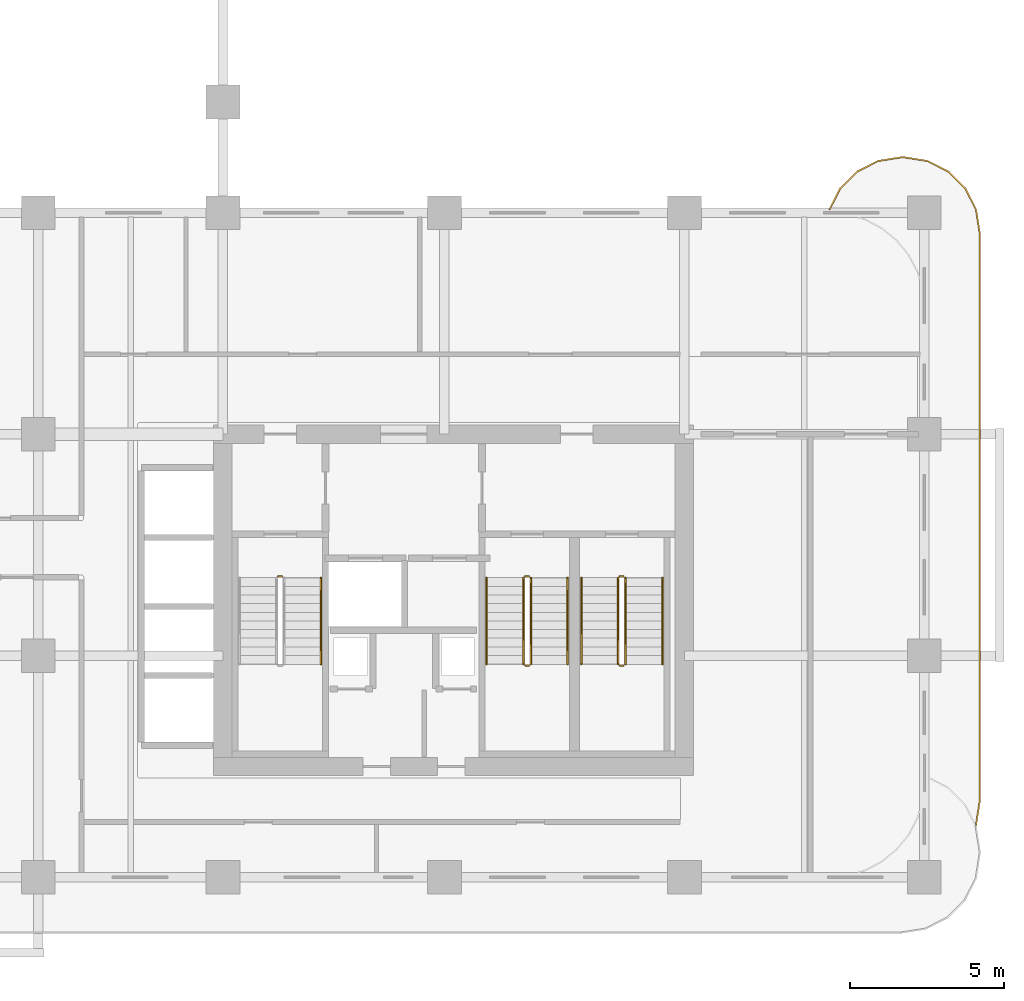
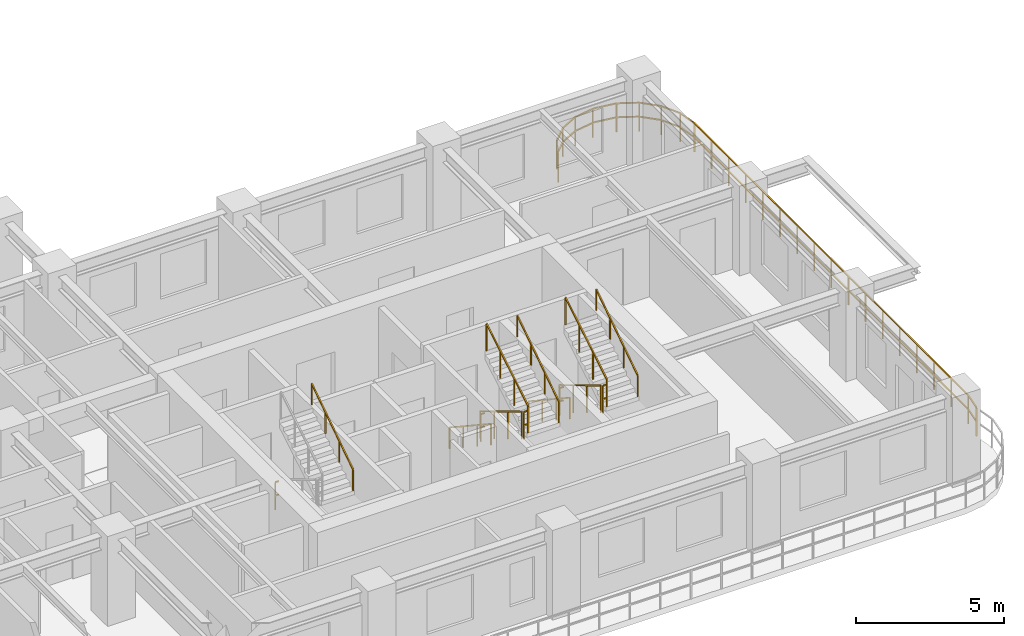
# One storey, part 17 of 19: 15 railings.
"""IFC4 building model written with IfcOpenShell, lengths in metres."""

from ifc_helpers import new_model, si_unit, derived_unit, direction, frame, origin, origin_2d, place, context, subcontext, project, spatial, rectangle, extrude, material, type_object, element, save


model = new_model("IFC4")

# Units and contexts
model_context = context("Model", 3, precision=1e-05, world=origin(), true_north=direction((0.0, 1.0)))
body_context = subcontext(model_context, "Body", "Model", "MODEL_VIEW")
ifc_project = project(units=[si_unit("LENGTHUNIT", "METRE"), si_unit("AREAUNIT", "SQUARE_METRE"), si_unit("VOLUMEUNIT", "CUBIC_METRE"), si_unit("PLANEANGLEUNIT", "RADIAN"), si_unit("MASSUNIT", "GRAM", prefix="KILO"), si_unit("THERMODYNAMICTEMPERATUREUNIT", "KELVIN"), si_unit("POWERUNIT", "WATT"), derived_unit("THERMALTRANSMITTANCEUNIT", [(si_unit("POWERUNIT", "WATT"), 1), (si_unit("AREAUNIT", "SQUARE_METRE"), -1), (si_unit("THERMODYNAMICTEMPERATUREUNIT", "KELVIN"), -1)])], contexts=[model_context])

# Site, building, storey
site_placement = place(None, origin())
site = spatial("IfcSite", under=ifc_project, at=site_placement, CompositionType="ELEMENT")
building_placement = place(site_placement, origin())
building = spatial("IfcBuilding", under=site, at=building_placement, Name="Zahravan Archway Hotel and Residences", CompositionType="ELEMENT")
storey_placement = place(building_placement, frame((0.0, 0.0, 43.5)))
storey = spatial("IfcBuildingStorey", under=building, at=storey_placement, Name="L09", CompositionType="ELEMENT", Elevation=43.5)

# Railings
ifc_material_1 = material(Name="Bronze & Laminated Glass Balustrade", Category="glass")
railing_type_1 = type_object("IfcRailingType", Name="RL-BAL-1200", PredefinedType="BALUSTRADE", material=ifc_material_1)
railing_1_placement = place(storey_placement, frame((54.52001953125, 21.70703125, 0.0)))
element("IfcRailing", 1, at=railing_1_placement, inside=storey, type_object=railing_type_1, Name="L09 Balustrade RL-SLB-BAL-L09-EA-1", PredefinedType="BALUSTRADE", context=body_context, shape_type="SweptSolid", body=[
    extrude(rectangle(XDim=0.048095703125, YDim=0.048095703125, at=origin_2d()), frame((0.0, 0.0, 1.17578125), z_axis=(0.453825591531, 0.891090529897, 0.0), x_axis=(-0.891090529897, 0.453825591531, 0.0)), (0.0, 0.0, 1.0), 0.7666015625),
    extrude(rectangle(XDim=0.048095703125, YDim=0.048095703125, at=origin_2d()), frame((0.0, 0.0, 0.60009765625), z_axis=(0.453825591531, 0.891090529897, 0.0), x_axis=(-0.891090529897, 0.453825591531, 0.0)), (0.0, 0.0, 1.0), 0.7666015625),
    extrude(rectangle(XDim=0.048095703125, YDim=0.048095703125, at=origin_2d()), frame((0.347900390625, 0.68310546875, 1.17578125), z_axis=(0.707106781187, 0.707106781187, 0.0), x_axis=(-0.707106781187, 0.707106781187, 0.0)), (0.0, 0.0, 1.0), 0.7666015625),
    extrude(rectangle(XDim=0.048095703125, YDim=0.048095703125, at=origin_2d()), frame((0.347900390625, 0.68310546875, 0.60009765625), z_axis=(0.707106781187, 0.707106781187, 0.0), x_axis=(-0.707106781187, 0.707106781187, 0.0)), (0.0, 0.0, 1.0), 0.7666015625),
    extrude(rectangle(XDim=0.048095703125, YDim=0.048095703125, at=origin_2d()), frame((0.889892578125, 1.22509765625, 1.17578125), z_axis=(0.891090529897, 0.453825591531, 0.0), x_axis=(-0.453825591531, 0.891090529897, 0.0)), (0.0, 0.0, 1.0), 0.7666015625),
    extrude(rectangle(XDim=0.048095703125, YDim=0.048095703125, at=origin_2d()), frame((0.889892578125, 1.22509765625, 0.60009765625), z_axis=(0.891090529897, 0.453825591531, 0.0), x_axis=(-0.453825591531, 0.891090529897, 0.0)), (0.0, 0.0, 1.0), 0.7666015625),
    extrude(rectangle(XDim=0.048095703125, YDim=0.048095703125, at=origin_2d()), frame((1.572998046875, 1.572998046875, 1.17578125), z_axis=(0.987695728695, 0.156387811283, 0.0), x_axis=(-0.156387811283, 0.987695728695, 0.0)), (0.0, 0.0, 1.0), 0.7666015625),
    extrude(rectangle(XDim=0.048095703125, YDim=0.048095703125, at=origin_2d()), frame((1.572998046875, 1.572998046875, 0.60009765625), z_axis=(0.987695728695, 0.156387811283, 0.0), x_axis=(-0.156387811283, 0.987695728695, 0.0)), (0.0, 0.0, 1.0), 0.7666015625),
    extrude(rectangle(XDim=0.048095703125, YDim=0.048095703125, at=origin_2d()), frame((2.330078125, 1.69287109375, 1.17578125), z_axis=(1.0, 0.0, 0.0), x_axis=(0.0, 1.0, 0.0)), (0.0, 0.0, 1.0), 0.099853515625),
    extrude(rectangle(XDim=0.048095703125, YDim=0.048095703125, at=origin_2d()), frame((2.330078125, 1.69287109375, 0.60009765625), z_axis=(1.0, 0.0, 0.0), x_axis=(0.0, 1.0, 0.0)), (0.0, 0.0, 1.0), 0.099853515625),
    extrude(rectangle(XDim=0.048095703125, YDim=0.048095703125, at=origin_2d()), frame((2.429931640625, 1.69287109375, 1.17578125), z_axis=(0.987695728695, -0.156387811283, 0.0), x_axis=(0.156387811283, 0.987695728695, 0.0)), (0.0, 0.0, 1.0), 0.7666015625),
    extrude(rectangle(XDim=0.048095703125, YDim=0.048095703125, at=origin_2d()), frame((2.429931640625, 1.69287109375, 0.60009765625), z_axis=(0.987695728695, -0.156387811283, 0.0), x_axis=(0.156387811283, 0.987695728695, 0.0)), (0.0, 0.0, 1.0), 0.7666015625),
    extrude(rectangle(XDim=0.048095703125, YDim=0.048095703125, at=origin_2d()), frame((3.18701171875, 1.572998046875, 1.17578125), z_axis=(0.891090529897, -0.453825591531, 0.0), x_axis=(0.453825591531, 0.891090529897, 0.0)), (0.0, 0.0, 1.0), 0.7666015625),
    extrude(rectangle(XDim=0.048095703125, YDim=0.048095703125, at=origin_2d()), frame((3.18701171875, 1.572998046875, 0.60009765625), z_axis=(0.891090529897, -0.453825591531, 0.0), x_axis=(0.453825591531, 0.891090529897, 0.0)), (0.0, 0.0, 1.0), 0.7666015625),
    extrude(rectangle(XDim=0.048095703125, YDim=0.048095703125, at=origin_2d()), frame((3.8701171875, 1.22509765625, 1.17578125), z_axis=(0.707106781187, -0.707106781187, 0.0), x_axis=(0.707106781187, 0.707106781187, 0.0)), (0.0, 0.0, 1.0), 0.7666015625),
    extrude(rectangle(XDim=0.048095703125, YDim=0.048095703125, at=origin_2d()), frame((3.8701171875, 1.22509765625, 0.60009765625), z_axis=(0.707106781187, -0.707106781187, 0.0), x_axis=(0.707106781187, 0.707106781187, 0.0)), (0.0, 0.0, 1.0), 0.7666015625),
    extrude(rectangle(XDim=0.048095703125, YDim=0.048095703125, at=origin_2d()), frame((4.412109375, 0.68310546875, 1.17578125), z_axis=(0.453825591531, -0.891090529897, 0.0), x_axis=(0.891090529897, 0.453825591531, 0.0)), (0.0, 0.0, 1.0), 0.7666015625),
    extrude(rectangle(XDim=0.048095703125, YDim=0.048095703125, at=origin_2d()), frame((4.412109375, 0.68310546875, 0.60009765625), z_axis=(0.453825591531, -0.891090529897, 0.0), x_axis=(0.891090529897, 0.453825591531, 0.0)), (0.0, 0.0, 1.0), 0.7666015625),
    extrude(rectangle(XDim=0.048095703125, YDim=0.048095703125, at=origin_2d()), frame((4.760009765625, 0.0, 1.17578125), z_axis=(0.156387811283, -0.987695728695, 0.0), x_axis=(0.987695728695, 0.156387811283, 0.0)), (0.0, 0.0, 1.0), 0.7666015625),
    extrude(rectangle(XDim=0.048095703125, YDim=0.048095703125, at=origin_2d()), frame((4.760009765625, 0.0, 0.60009765625), z_axis=(0.156387811283, -0.987695728695, 0.0), x_axis=(0.987695728695, 0.156387811283, 0.0)), (0.0, 0.0, 1.0), 0.7666015625),
    extrude(rectangle(XDim=0.048095703125, YDim=0.048095703125, at=origin_2d()), frame((4.8798828125, -0.757080078125, 1.17578125), z_axis=(0.0, -1.0, 0.0), x_axis=(1.0, 0.0, 0.0)), (0.0, 0.0, 1.0), 18.5),
    extrude(rectangle(XDim=0.048095703125, YDim=0.048095703125, at=origin_2d()), frame((4.8798828125, -0.757080078125, 0.60009765625), z_axis=(0.0, -1.0, 0.0), x_axis=(1.0, 0.0, 0.0)), (0.0, 0.0, 1.0), 18.5),
    extrude(rectangle(XDim=0.048095703125, YDim=0.048095703125, at=origin_2d()), frame((4.8798828125, -19.257080078125, 1.17578125), z_axis=(-0.156387811283, -0.987695728695, 0.0), x_axis=(0.987695728695, -0.156387811283, 0.0)), (0.0, 0.0, 1.0), 0.7666015625),
    extrude(rectangle(XDim=0.048095703125, YDim=0.048095703125, at=origin_2d()), frame((4.8798828125, -19.257080078125, 0.60009765625), z_axis=(-0.156387811283, -0.987695728695, 0.0), x_axis=(0.987695728695, -0.156387811283, 0.0)), (0.0, 0.0, 1.0), 0.7666015625),
    extrude(rectangle(XDim=0.0419921875, YDim=0.0419921875, at=origin_2d()), origin(), (0.0, 0.0, 1.0), 1.15185546875),
    extrude(rectangle(XDim=0.0419921875, YDim=0.0419921875, at=origin_2d()), frame((0.347900390625, 0.68310546875, 0.0)), (0.0, 0.0, 1.0), 1.15185546875),
    extrude(rectangle(XDim=0.0419921875, YDim=0.0419921875, at=origin_2d()), frame((0.889892578125, 1.22509765625, 0.0)), (0.0, 0.0, 1.0), 1.15185546875),
    extrude(rectangle(XDim=0.0419921875, YDim=0.0419921875, at=origin_2d()), frame((1.572998046875, 1.572998046875, 0.0)), (0.0, 0.0, 1.0), 1.15185546875),
    extrude(rectangle(XDim=0.0419921875, YDim=0.0419921875, at=origin_2d()), frame((2.330078125, 1.69287109375, 0.0)), (0.0, 0.0, 1.0), 1.15185546875),
    extrude(rectangle(XDim=0.0419921875, YDim=0.0419921875, at=origin_2d()), frame((3.18701171875, 1.572998046875, 0.0)), (0.0, 0.0, 1.0), 1.15185546875),
    extrude(rectangle(XDim=0.0419921875, YDim=0.0419921875, at=origin_2d()), frame((3.8701171875, 1.22509765625, 0.0)), (0.0, 0.0, 1.0), 1.15185546875),
    extrude(rectangle(XDim=0.0419921875, YDim=0.0419921875, at=origin_2d()), frame((4.412109375, 0.68310546875, 0.0)), (0.0, 0.0, 1.0), 1.15185546875),
    extrude(rectangle(XDim=0.0419921875, YDim=0.0419921875, at=origin_2d()), frame((4.760009765625, 0.0, 0.0)), (0.0, 0.0, 1.0), 1.15185546875),
    extrude(rectangle(XDim=0.0419921875, YDim=0.0419921875, at=origin_2d()), frame((4.8798828125, -0.757080078125, 0.0)), (0.0, 0.0, 1.0), 1.15185546875),
    extrude(rectangle(XDim=0.0419921875, YDim=0.0419921875, at=origin_2d()), frame((4.8798828125, -1.913330078125, 0.0)), (0.0, 0.0, 1.0), 1.15185546875),
    extrude(rectangle(XDim=0.0419921875, YDim=0.0419921875, at=origin_2d()), frame((4.8798828125, -3.069580078125, 0.0)), (0.0, 0.0, 1.0), 1.15185546875),
    extrude(rectangle(XDim=0.0419921875, YDim=0.0419921875, at=origin_2d()), frame((4.8798828125, -4.225830078125, 0.0)), (0.0, 0.0, 1.0), 1.15185546875),
    extrude(rectangle(XDim=0.0419921875, YDim=0.0419921875, at=origin_2d()), frame((4.8798828125, -5.382080078125, 0.0)), (0.0, 0.0, 1.0), 1.15185546875),
    extrude(rectangle(XDim=0.0419921875, YDim=0.0419921875, at=origin_2d()), frame((4.8798828125, -6.538330078125, 0.0)), (0.0, 0.0, 1.0), 1.15185546875),
    extrude(rectangle(XDim=0.0419921875, YDim=0.0419921875, at=origin_2d()), frame((4.8798828125, -7.694580078125, 0.0)), (0.0, 0.0, 1.0), 1.15185546875),
    extrude(rectangle(XDim=0.0419921875, YDim=0.0419921875, at=origin_2d()), frame((4.8798828125, -8.850830078125, 0.0)), (0.0, 0.0, 1.0), 1.15185546875),
    extrude(rectangle(XDim=0.0419921875, YDim=0.0419921875, at=origin_2d()), frame((4.8798828125, -10.007080078125, 0.0)), (0.0, 0.0, 1.0), 1.15185546875),
    extrude(rectangle(XDim=0.0419921875, YDim=0.0419921875, at=origin_2d()), frame((4.8798828125, -11.163330078125, 0.0)), (0.0, 0.0, 1.0), 1.15185546875),
    extrude(rectangle(XDim=0.0419921875, YDim=0.0419921875, at=origin_2d()), frame((4.8798828125, -12.319580078125, 0.0)), (0.0, 0.0, 1.0), 1.15185546875),
    extrude(rectangle(XDim=0.0419921875, YDim=0.0419921875, at=origin_2d()), frame((4.8798828125, -13.475830078125, 0.0)), (0.0, 0.0, 1.0), 1.15185546875),
    extrude(rectangle(XDim=0.0419921875, YDim=0.0419921875, at=origin_2d()), frame((4.8798828125, -14.632080078125, 0.0)), (0.0, 0.0, 1.0), 1.15185546875),
    extrude(rectangle(XDim=0.0419921875, YDim=0.0419921875, at=origin_2d()), frame((4.8798828125, -15.788330078125, 0.0)), (0.0, 0.0, 1.0), 1.15185546875),
    extrude(rectangle(XDim=0.0419921875, YDim=0.0419921875, at=origin_2d()), frame((4.8798828125, -16.944580078125, 0.0)), (0.0, 0.0, 1.0), 1.15185546875),
    extrude(rectangle(XDim=0.0419921875, YDim=0.0419921875, at=origin_2d()), frame((4.8798828125, -18.100830078125, 0.0)), (0.0, 0.0, 1.0), 1.15185546875),
    extrude(rectangle(XDim=0.0419921875, YDim=0.0419921875, at=origin_2d()), frame((4.8798828125, -19.257080078125, 0.0)), (0.0, 0.0, 1.0), 1.15185546875),
    extrude(rectangle(XDim=0.0419921875, YDim=0.0419921875, at=origin_2d()), frame((4.760009765625, -20.01416015625, 0.0)), (0.0, 0.0, 1.0), 1.15185546875),
])
ifc_material_2 = material(Name="Painted Tubular Steel", Category="steel")
railing_type_2 = type_object("IfcRailingType", Name="RL-STG-1150", PredefinedType="GUARDRAIL", material=ifc_material_2)
railing_2_placement = place(storey_placement, frame((36.60009765625, 9.780029296875, 0.0)))
element("IfcRailing", 2, at=railing_2_placement, inside=storey, type_object=railing_type_2, Name="L09 ST-A1 stair guard 4", PredefinedType="GUARDRAIL", context=body_context, shape_type="SweptSolid", body=[
    extrude(rectangle(XDim=0.048095703125, YDim=0.048095703125, at=origin_2d()), frame((0.0, 0.0, 1.1259765625), z_axis=(1.0, 0.0, 0.0), x_axis=(0.0, 1.0, 0.0)), (0.0, 0.0, 1.0), 0.139892578125),
    extrude(rectangle(XDim=0.048095703125, YDim=0.048095703125, at=origin_2d()), frame((0.0, 0.0, 0.574951171875), z_axis=(1.0, 0.0, 0.0), x_axis=(0.0, 1.0, 0.0)), (0.0, 0.0, 1.0), 0.139892578125),
    extrude(rectangle(XDim=0.0419921875, YDim=0.0419921875, at=origin_2d()), origin(), (0.0, 0.0, 1.0), 1.101806640625),
])
railing_3_placement = place(storey_placement, frame((44.570068359375, 9.72998046875, 0.168212890625)))
element("IfcRailing", 3, at=railing_3_placement, inside=storey, type_object=railing_type_2, Name="L09 ST-A2 stair guard 1", PredefinedType="GUARDRAIL", context=body_context, shape_type="SweptSolid", body=[
    extrude(rectangle(XDim=0.048095703125, YDim=0.048095703125, at=origin_2d()), frame((0.0, 0.0, 1.1259765625), z_axis=(0.0, -0.857242210791, 0.514913383045), x_axis=(1.0, 0.0, 0.0)), (0.0, 0.0, 1.0), 3.266357421875),
    extrude(rectangle(XDim=0.0419921875, YDim=0.0419921875, at=origin_2d()), origin(), (0.0, 0.0, 1.0), 1.101806640625),
    extrude(rectangle(XDim=0.0419921875, YDim=0.0419921875, at=origin_2d()), frame((0.0, -0.933349609375, 0.560546875)), (0.0, 0.0, 1.0), 1.101806640625),
    extrude(rectangle(XDim=0.0419921875, YDim=0.0419921875, at=origin_2d()), frame((0.0, -1.86669921875, 1.121337890625)), (0.0, 0.0, 1.0), 1.101806640625),
    extrude(rectangle(XDim=0.0419921875, YDim=0.0419921875, at=origin_2d()), frame((0.0, -2.800048828125, 1.681884765625)), (0.0, 0.0, 1.0), 1.101806640625),
])
railing_4_placement = place(storey_placement, frame((44.6201171875, 6.8798828125, 1.85009765625)))
element("IfcRailing", 4, at=railing_4_placement, inside=storey, type_object=railing_type_2, Name="L09 ST-A2 stair guard 2", PredefinedType="GUARDRAIL", context=body_context, shape_type="SweptSolid", body=[
    extrude(rectangle(XDim=0.048095703125, YDim=0.048095703125, at=origin_2d()), frame((0.0, 0.0, 1.1259765625), z_axis=(1.0, 0.0, 0.0), x_axis=(0.0, 1.0, 0.0)), (0.0, 0.0, 1.0), 0.139892578125),
    extrude(rectangle(XDim=0.048095703125, YDim=0.048095703125, at=origin_2d()), frame((0.0, 0.0, 0.574951171875), z_axis=(1.0, 0.0, 0.0), x_axis=(0.0, 1.0, 0.0)), (0.0, 0.0, 1.0), 0.139892578125),
    extrude(rectangle(XDim=0.0419921875, YDim=0.0419921875, at=origin_2d()), origin(), (0.0, 0.0, 1.0), 1.101806640625),
])
railing_5_placement = place(storey_placement, frame((44.81005859375, 6.929931640625, 2.01806640625)))
element("IfcRailing", 5, at=railing_5_placement, inside=storey, type_object=railing_type_2, Name="L09 ST-A2 stair guard 3", PredefinedType="GUARDRAIL", context=body_context, shape_type="SweptSolid", body=[
    extrude(rectangle(XDim=0.048095703125, YDim=0.048095703125, at=origin_2d()), frame((0.0, 0.0, 1.1259765625), z_axis=(0.0, 0.857242210791, 0.514913383045), x_axis=(-1.0, 0.0, 0.0)), (0.0, 0.0, 1.0), 3.266357421875),
    extrude(rectangle(XDim=0.0419921875, YDim=0.0419921875, at=origin_2d()), origin(), (0.0, 0.0, 1.0), 1.101806640625),
    extrude(rectangle(XDim=0.0419921875, YDim=0.0419921875, at=origin_2d()), frame((0.0, 0.933349609375, 0.560546875)), (0.0, 0.0, 1.0), 1.101806640625),
    extrude(rectangle(XDim=0.0419921875, YDim=0.0419921875, at=origin_2d()), frame((0.0, 1.86669921875, 1.121337890625)), (0.0, 0.0, 1.0), 1.101806640625),
    extrude(rectangle(XDim=0.0419921875, YDim=0.0419921875, at=origin_2d()), frame((0.0, 2.800048828125, 1.681884765625)), (0.0, 0.0, 1.0), 1.101806640625),
])
railing_6_placement = place(storey_placement, frame((44.6201171875, 9.780029296875, 0.0)))
element("IfcRailing", 6, at=railing_6_placement, inside=storey, type_object=railing_type_2, Name="L09 ST-A2 stair guard 4", PredefinedType="GUARDRAIL", context=body_context, shape_type="SweptSolid", body=[
    extrude(rectangle(XDim=0.048095703125, YDim=0.048095703125, at=origin_2d()), frame((0.0, 0.0, 1.1259765625), z_axis=(1.0, 0.0, 0.0), x_axis=(0.0, 1.0, 0.0)), (0.0, 0.0, 1.0), 0.139892578125),
    extrude(rectangle(XDim=0.048095703125, YDim=0.048095703125, at=origin_2d()), frame((0.0, 0.0, 0.574951171875), z_axis=(1.0, 0.0, 0.0), x_axis=(0.0, 1.0, 0.0)), (0.0, 0.0, 1.0), 0.139892578125),
    extrude(rectangle(XDim=0.0419921875, YDim=0.0419921875, at=origin_2d()), origin(), (0.0, 0.0, 1.0), 1.101806640625),
])
railing_7_placement = place(storey_placement, frame((47.64990234375, 9.72998046875, 0.168212890625)))
element("IfcRailing", 7, at=railing_7_placement, inside=storey, type_object=railing_type_2, Name="L09 ST-A3 stair guard 1", PredefinedType="GUARDRAIL", context=body_context, shape_type="SweptSolid", body=[
    extrude(rectangle(XDim=0.048095703125, YDim=0.048095703125, at=origin_2d()), frame((0.0, 0.0, 1.1259765625), z_axis=(0.0, -0.857242210791, 0.514913383045), x_axis=(1.0, 0.0, 0.0)), (0.0, 0.0, 1.0), 3.266357421875),
    extrude(rectangle(XDim=0.0419921875, YDim=0.0419921875, at=origin_2d()), origin(), (0.0, 0.0, 1.0), 1.101806640625),
    extrude(rectangle(XDim=0.0419921875, YDim=0.0419921875, at=origin_2d()), frame((0.0, -0.933349609375, 0.560546875)), (0.0, 0.0, 1.0), 1.101806640625),
    extrude(rectangle(XDim=0.0419921875, YDim=0.0419921875, at=origin_2d()), frame((0.0, -1.86669921875, 1.121337890625)), (0.0, 0.0, 1.0), 1.101806640625),
    extrude(rectangle(XDim=0.0419921875, YDim=0.0419921875, at=origin_2d()), frame((0.0, -2.800048828125, 1.681884765625)), (0.0, 0.0, 1.0), 1.101806640625),
])
railing_8_placement = place(storey_placement, frame((47.699951171875, 6.8798828125, 1.85009765625)))
element("IfcRailing", 8, at=railing_8_placement, inside=storey, type_object=railing_type_2, Name="L09 ST-A3 stair guard 2", PredefinedType="GUARDRAIL", context=body_context, shape_type="SweptSolid", body=[
    extrude(rectangle(XDim=0.048095703125, YDim=0.048095703125, at=origin_2d()), frame((0.0, 0.0, 1.1259765625), z_axis=(1.0, 0.0, 0.0), x_axis=(0.0, 1.0, 0.0)), (0.0, 0.0, 1.0), 0.14013671875),
    extrude(rectangle(XDim=0.048095703125, YDim=0.048095703125, at=origin_2d()), frame((0.0, 0.0, 0.574951171875), z_axis=(1.0, 0.0, 0.0), x_axis=(0.0, 1.0, 0.0)), (0.0, 0.0, 1.0), 0.14013671875),
    extrude(rectangle(XDim=0.0419921875, YDim=0.0419921875, at=origin_2d()), origin(), (0.0, 0.0, 1.0), 1.101806640625),
])
railing_9_placement = place(storey_placement, frame((47.889892578125, 6.929931640625, 2.01806640625)))
element("IfcRailing", 9, at=railing_9_placement, inside=storey, type_object=railing_type_2, Name="L09 ST-A3 stair guard 3", PredefinedType="GUARDRAIL", context=body_context, shape_type="SweptSolid", body=[
    extrude(rectangle(XDim=0.048095703125, YDim=0.048095703125, at=origin_2d()), frame((0.0, 0.0, 1.1259765625), z_axis=(0.0, 0.857242210791, 0.514913383045), x_axis=(-1.0, 0.0, 0.0)), (0.0, 0.0, 1.0), 3.266357421875),
    extrude(rectangle(XDim=0.0419921875, YDim=0.0419921875, at=origin_2d()), origin(), (0.0, 0.0, 1.0), 1.101806640625),
    extrude(rectangle(XDim=0.0419921875, YDim=0.0419921875, at=origin_2d()), frame((0.0, 0.933349609375, 0.560546875)), (0.0, 0.0, 1.0), 1.101806640625),
    extrude(rectangle(XDim=0.0419921875, YDim=0.0419921875, at=origin_2d()), frame((0.0, 1.86669921875, 1.121337890625)), (0.0, 0.0, 1.0), 1.101806640625),
    extrude(rectangle(XDim=0.0419921875, YDim=0.0419921875, at=origin_2d()), frame((0.0, 2.800048828125, 1.681884765625)), (0.0, 0.0, 1.0), 1.101806640625),
])
railing_10_placement = place(storey_placement, frame((47.699951171875, 9.780029296875, 0.0)))
element("IfcRailing", 10, at=railing_10_placement, inside=storey, type_object=railing_type_2, Name="L09 ST-A3 stair guard 4", PredefinedType="GUARDRAIL", context=body_context, shape_type="SweptSolid", body=[
    extrude(rectangle(XDim=0.048095703125, YDim=0.048095703125, at=origin_2d()), frame((0.0, 0.0, 1.1259765625), z_axis=(1.0, 0.0, 0.0), x_axis=(0.0, 1.0, 0.0)), (0.0, 0.0, 1.0), 0.14013671875),
    extrude(rectangle(XDim=0.048095703125, YDim=0.048095703125, at=origin_2d()), frame((0.0, 0.0, 0.574951171875), z_axis=(1.0, 0.0, 0.0), x_axis=(0.0, 1.0, 0.0)), (0.0, 0.0, 1.0), 0.14013671875),
    extrude(rectangle(XDim=0.0419921875, YDim=0.0419921875, at=origin_2d()), origin(), (0.0, 0.0, 1.0), 1.101806640625),
])
ifc_material_3 = material(Name="Brushed Stainless Steel", Category="steel")
railing_type_3 = type_object("IfcRailingType", Name="RL-STH-900", PredefinedType="HANDRAIL", material=ifc_material_3)
railing_11_placement = place(storey_placement, frame((37.989990234375, 6.929931640625, 2.01806640625)))
element("IfcRailing", 11, at=railing_11_placement, inside=storey, type_object=railing_type_3, Name="L09 ST-A1 stair handrail 2", PredefinedType="HANDRAIL", context=body_context, shape_type="SweptSolid", body=[
    extrude(rectangle(XDim=0.048095703125, YDim=0.048095703125, at=origin_2d()), frame((0.0, 0.0, 0.8759765625), z_axis=(0.0, 0.834326358476, 0.551270829586), x_axis=(-1.0, 0.0, 0.0)), (0.0, 0.0, 1.0), 3.35595703125),
    extrude(rectangle(XDim=0.0419921875, YDim=0.0419921875, at=origin_2d()), origin(), (0.0, 0.0, 1.0), 0.851806640625),
    extrude(rectangle(XDim=0.0419921875, YDim=0.0419921875, at=origin_2d()), frame((0.0, 0.933349609375, 0.61669921875)), (0.0, 0.0, 1.0), 0.851806640625),
    extrude(rectangle(XDim=0.0419921875, YDim=0.0419921875, at=origin_2d()), frame((0.0, 1.86669921875, 1.2333984375)), (0.0, 0.0, 1.0), 0.851806640625),
    extrude(rectangle(XDim=0.0419921875, YDim=0.0419921875, at=origin_2d()), frame((0.0, 2.800048828125, 1.85009765625)), (0.0, 0.0, 1.0), 0.851806640625),
])
railing_12_placement = place(storey_placement, frame((43.3701171875, 9.72998046875, 0.168212890625)))
element("IfcRailing", 12, at=railing_12_placement, inside=storey, type_object=railing_type_3, Name="L09 ST-A2 stair handrail 1", PredefinedType="HANDRAIL", context=body_context, shape_type="SweptSolid", body=[
    extrude(rectangle(XDim=0.048095703125, YDim=0.048095703125, at=origin_2d()), frame((0.0, 0.0, 0.8759765625), z_axis=(0.0, -0.83435981716, 0.551220187865), x_axis=(1.0, 0.0, 0.0)), (0.0, 0.0, 1.0), 3.35595703125),
    extrude(rectangle(XDim=0.0419921875, YDim=0.0419921875, at=origin_2d()), origin(), (0.0, 0.0, 1.0), 0.851806640625),
    extrude(rectangle(XDim=0.0419921875, YDim=0.0419921875, at=origin_2d()), frame((0.0, -0.933349609375, 0.61669921875)), (0.0, 0.0, 1.0), 0.851806640625),
    extrude(rectangle(XDim=0.0419921875, YDim=0.0419921875, at=origin_2d()), frame((0.0, -1.86669921875, 1.233154296875)), (0.0, 0.0, 1.0), 0.851806640625),
    extrude(rectangle(XDim=0.0419921875, YDim=0.0419921875, at=origin_2d()), frame((0.0, -2.800048828125, 1.849853515625)), (0.0, 0.0, 1.0), 0.851806640625),
])
railing_13_placement = place(storey_placement, frame((46.010009765625, 6.929931640625, 2.01806640625)))
element("IfcRailing", 13, at=railing_13_placement, inside=storey, type_object=railing_type_3, Name="L09 ST-A2 stair handrail 2", PredefinedType="HANDRAIL", context=body_context, shape_type="SweptSolid", body=[
    extrude(rectangle(XDim=0.048095703125, YDim=0.048095703125, at=origin_2d()), frame((0.0, 0.0, 0.8759765625), z_axis=(0.0, 0.834326358476, 0.551270829586), x_axis=(-1.0, 0.0, 0.0)), (0.0, 0.0, 1.0), 3.35595703125),
    extrude(rectangle(XDim=0.0419921875, YDim=0.0419921875, at=origin_2d()), origin(), (0.0, 0.0, 1.0), 0.851806640625),
    extrude(rectangle(XDim=0.0419921875, YDim=0.0419921875, at=origin_2d()), frame((0.0, 0.933349609375, 0.61669921875)), (0.0, 0.0, 1.0), 0.851806640625),
    extrude(rectangle(XDim=0.0419921875, YDim=0.0419921875, at=origin_2d()), frame((0.0, 1.86669921875, 1.2333984375)), (0.0, 0.0, 1.0), 0.851806640625),
    extrude(rectangle(XDim=0.0419921875, YDim=0.0419921875, at=origin_2d()), frame((0.0, 2.800048828125, 1.85009765625)), (0.0, 0.0, 1.0), 0.851806640625),
])
railing_14_placement = place(storey_placement, frame((46.449951171875, 9.72998046875, 0.168212890625)))
element("IfcRailing", 14, at=railing_14_placement, inside=storey, type_object=railing_type_3, Name="L09 ST-A3 stair handrail 1", PredefinedType="HANDRAIL", context=body_context, shape_type="SweptSolid", body=[
    extrude(rectangle(XDim=0.048095703125, YDim=0.048095703125, at=origin_2d()), frame((0.0, 0.0, 0.8759765625), z_axis=(0.0, -0.83435981716, 0.551220187865), x_axis=(1.0, 0.0, 0.0)), (0.0, 0.0, 1.0), 3.35595703125),
    extrude(rectangle(XDim=0.0419921875, YDim=0.0419921875, at=origin_2d()), origin(), (0.0, 0.0, 1.0), 0.851806640625),
    extrude(rectangle(XDim=0.0419921875, YDim=0.0419921875, at=origin_2d()), frame((0.0, -0.933349609375, 0.61669921875)), (0.0, 0.0, 1.0), 0.851806640625),
    extrude(rectangle(XDim=0.0419921875, YDim=0.0419921875, at=origin_2d()), frame((0.0, -1.86669921875, 1.233154296875)), (0.0, 0.0, 1.0), 0.851806640625),
    extrude(rectangle(XDim=0.0419921875, YDim=0.0419921875, at=origin_2d()), frame((0.0, -2.800048828125, 1.849853515625)), (0.0, 0.0, 1.0), 0.851806640625),
])
railing_15_placement = place(storey_placement, frame((49.090087890625, 6.929931640625, 2.01806640625)))
element("IfcRailing", 15, at=railing_15_placement, inside=storey, type_object=railing_type_3, Name="L09 ST-A3 stair handrail 2", PredefinedType="HANDRAIL", context=body_context, shape_type="SweptSolid", body=[
    extrude(rectangle(XDim=0.048095703125, YDim=0.048095703125, at=origin_2d()), frame((0.0, 0.0, 0.8759765625), z_axis=(0.0, 0.834326358476, 0.551270829586), x_axis=(-1.0, 0.0, 0.0)), (0.0, 0.0, 1.0), 3.35595703125),
    extrude(rectangle(XDim=0.0419921875, YDim=0.0419921875, at=origin_2d()), origin(), (0.0, 0.0, 1.0), 0.851806640625),
    extrude(rectangle(XDim=0.0419921875, YDim=0.0419921875, at=origin_2d()), frame((0.0, 0.933349609375, 0.61669921875)), (0.0, 0.0, 1.0), 0.851806640625),
    extrude(rectangle(XDim=0.0419921875, YDim=0.0419921875, at=origin_2d()), frame((0.0, 1.86669921875, 1.2333984375)), (0.0, 0.0, 1.0), 0.851806640625),
    extrude(rectangle(XDim=0.0419921875, YDim=0.0419921875, at=origin_2d()), frame((0.0, 2.800048828125, 1.85009765625)), (0.0, 0.0, 1.0), 0.851806640625),
])

save(model, "model.ifc")
